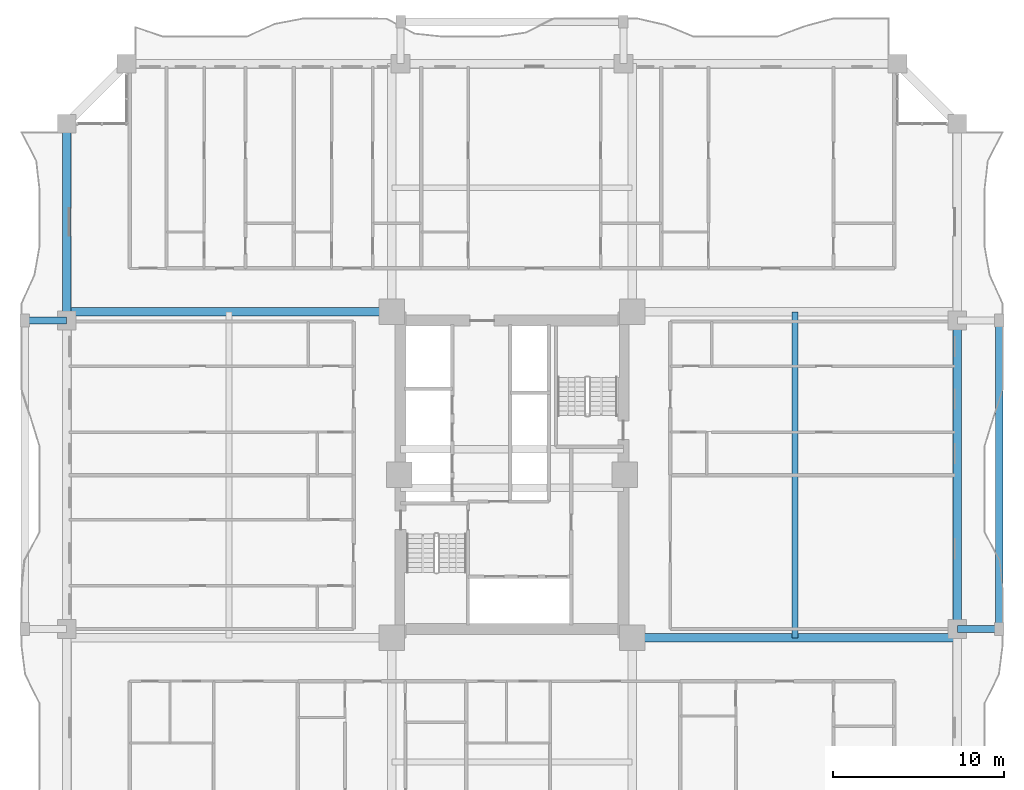
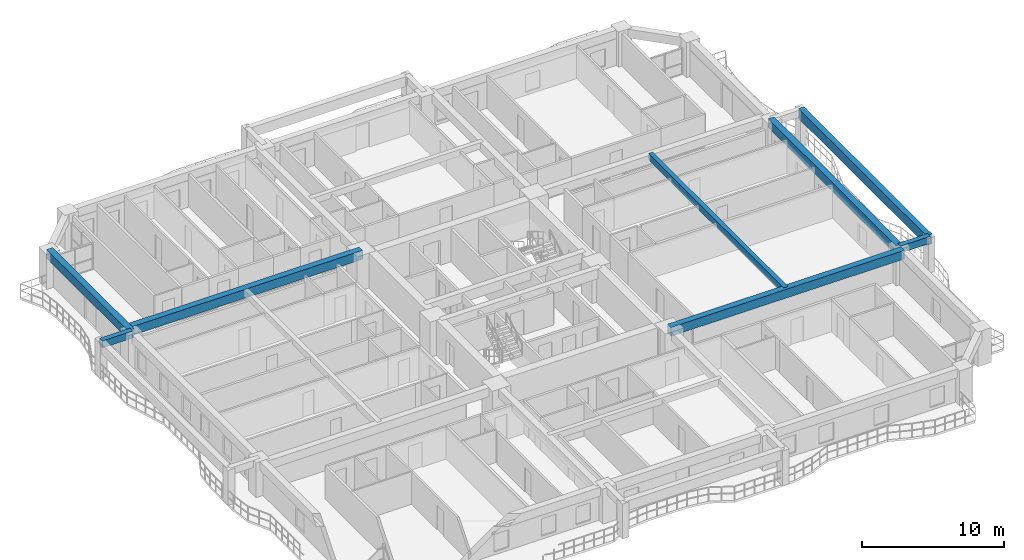
# One storey, part 5 of 27: 8 beams.
"""IFC4 building model written with IfcOpenShell, lengths in metres."""

import ifcopenshell
import ifcopenshell.guid

model = None  # the IFC model being written
_history = None  # IfcOwnerHistory: only IFC2X3 demands one
_inside = {}  # id of a spatial element -> (the spatial element, [elements in it])
_under = {}  # id of a project, library or spatial element -> (it, [spatial elements below it])
_declared = {}  # id of a project -> (the project, [libraries it declares])
_typed = {}  # id of a type object -> (the type object, [elements of that type])
_made_of = {}  # id of a material, layer set ... -> (it, [elements and type objects made of it])


def new_model(schema):
    """Start an empty IFC model of exactly this schema.

    Asked for "IFC4X3", IfcOpenShell would pick the latest addendum, in which some entities
    have other attributes; the version numbers below select the first issue.
    IFC2X3 requires an IfcOwnerHistory on every rooted entity: one is made here for all.
    """
    global model, _history
    if schema == "IFC4X3":
        model = ifcopenshell.file(schema_version=(4, 3, 0, 0))
    else:
        model = ifcopenshell.file(schema=schema)
    _inside.clear()
    _under.clear()
    _declared.clear()
    _typed.clear()
    _made_of.clear()
    _history = None
    if model.schema == "IFC2X3":
        org = make("IfcOrganization", Name="unknown")
        user = make(
            "IfcPersonAndOrganization",
            ThePerson=make("IfcPerson", FamilyName="unknown"),
            TheOrganization=org,
        )
        app = make(
            "IfcApplication",
            ApplicationDeveloper=org,
            Version="unknown",
            ApplicationFullName="unknown",
            ApplicationIdentifier="unknown",
        )
        _history = make(
            "IfcOwnerHistory",
            OwningUser=user,
            OwningApplication=app,
            ChangeAction="ADDED",
            CreationDate=0,
        )
    return model


def make(cls, **values):
    """One entity of the class cls with the attributes given. An attribute that is None is left unset."""
    return model.create_entity(
        cls, **{name: value for name, value in values.items() if value is not None}
    )


def rooted(cls, **values):
    """An entity with a GlobalId (a new one), such as an element, a storey or a relation."""
    return make(cls, GlobalId=ifcopenshell.guid.new(), OwnerHistory=_history, **values)


def si_unit(unit_type, name, prefix=None):
    """IfcSIUnit, for example si_unit("LENGTHUNIT", "METRE", prefix="MILLI")."""
    return make("IfcSIUnit", UnitType=unit_type, Prefix=prefix, Name=name)


def assignment(units):
    """IfcUnitAssignment: the units of a project."""
    return None if units is None else make("IfcUnitAssignment", Units=units)


def point(xyz):
    """IfcCartesianPoint."""
    return None if xyz is None else make("IfcCartesianPoint", Coordinates=xyz)


def direction(xyz):
    """IfcDirection."""
    return None if xyz is None else make("IfcDirection", DirectionRatios=xyz)


def frame(location, z_axis=None, x_axis=None):
    """IfcAxis2Placement3D, a coordinate frame: its origin and axes. An axis left out is left unset."""
    return make(
        "IfcAxis2Placement3D",
        Location=point(location),
        Axis=direction(z_axis),
        RefDirection=direction(x_axis),
    )


def frame_2d(location, x_axis=None):
    """IfcAxis2Placement2D, a coordinate frame in the plane: its origin and x axis."""
    return make(
        "IfcAxis2Placement2D", Location=point(location), RefDirection=direction(x_axis)
    )


def origin():
    """The frame at (0, 0, 0) with its axes left unset."""
    return frame((0.0, 0.0, 0.0))


def origin_2d():
    """The frame at (0, 0) in the plane with its x axis left unset."""
    return frame_2d((0.0, 0.0))


def place(relative_to, where):
    """IfcLocalPlacement: puts the frame where relative to a parent placement (None: the world)."""
    return make(
        "IfcLocalPlacement", PlacementRelTo=relative_to, RelativePlacement=where
    )


def context(
    kind, dimensions, precision=None, world=None, true_north=None, identifier=None
):
    """IfcGeometricRepresentationContext, for example the 3D "Model" context."""
    return make(
        "IfcGeometricRepresentationContext",
        ContextIdentifier=identifier,
        ContextType=kind,
        CoordinateSpaceDimension=dimensions,
        Precision=precision,
        WorldCoordinateSystem=world,
        TrueNorth=true_north,
    )


def subcontext(parent, identifier, kind, view, scale=None):
    """IfcGeometricRepresentationSubContext, for example "Body" below "Model"."""
    return make(
        "IfcGeometricRepresentationSubContext",
        ContextIdentifier=identifier,
        ContextType=kind,
        ParentContext=parent,
        TargetScale=scale,
        TargetView=view,
    )


def project(units=None, contexts=None):
    """IfcProject with its units and contexts."""
    return rooted(
        "IfcProject",
        Name="project",
        RepresentationContexts=contexts,
        UnitsInContext=assignment(units),
    )


def spatial(cls, under=None, at=None, **own):
    """A site, building, storey or space (cls), placed at a placement, below another one or the project."""
    s = rooted(cls, ObjectPlacement=at, **own)
    if under is not None:
        _under.setdefault(under.id(), (under, []))[1].append(s)
    return s


def profile(cls, at=None, kind="AREA", **sizes):
    """A parametric profile (cls). Its sizes go by their IFC names, for example OverallWidth=200.0."""
    return make(cls, ProfileType=kind, Position=at, **sizes)


def rectangle(**sizes):
    """IfcRectangleProfileDef."""
    return profile("IfcRectangleProfileDef", **sizes)


def extrude(swept, where, along, depth):
    """IfcExtrudedAreaSolid: the profile swept, set in the frame where, extruded along a direction by depth."""
    return make(
        "IfcExtrudedAreaSolid",
        SweptArea=swept,
        Position=where,
        ExtrudedDirection=direction(along),
        Depth=depth,
    )


def shape(context_of_items, identifier, shape_type, items):
    """IfcShapeRepresentation: the items that make up one representation, for example the "Body"."""
    return make(
        "IfcShapeRepresentation",
        ContextOfItems=context_of_items,
        RepresentationIdentifier=identifier,
        RepresentationType=shape_type,
        Items=items,
    )


def source(mapping_origin, context_of_items, identifier, shape_type, items):
    """IfcRepresentationMap: a shape defined once, which mapped items show again and again."""
    return make(
        "IfcRepresentationMap",
        MappingOrigin=mapping_origin,
        MappedRepresentation=shape(context_of_items, identifier, shape_type, items),
    )


def transform(
    local_origin,
    x_axis=None,
    y_axis=None,
    z_axis=None,
    scale=None,
    scale2=None,
    scale3=None,
    uniform=True,
):
    """IfcCartesianTransformationOperator3D, or its non-uniform kind. x_axis, y_axis, z_axis: its Axis1, 2, 3."""
    if uniform:
        return make(
            "IfcCartesianTransformationOperator3D",
            Axis1=direction(x_axis),
            Axis2=direction(y_axis),
            LocalOrigin=point(local_origin),
            Scale=scale,
            Axis3=direction(z_axis),
        )
    return make(
        "IfcCartesianTransformationOperator3DnonUniform",
        Axis1=direction(x_axis),
        Axis2=direction(y_axis),
        LocalOrigin=point(local_origin),
        Scale=scale,
        Axis3=direction(z_axis),
        Scale2=scale2,
        Scale3=scale3,
    )


def mapped(mapping_source, mapping_target):
    """IfcMappedItem: shows the shape of a source again, moved by a transform."""
    return make(
        "IfcMappedItem", MappingSource=mapping_source, MappingTarget=mapping_target
    )


def material(Name=None, Category=None):
    """IfcMaterial."""
    return make("IfcMaterial", Name=Name, Category=Category)


def material_profile(
    of_material, cross_section, Name=None, Category=None, Priority=None
):
    """IfcMaterialProfile: a cross section and its material."""
    return make(
        "IfcMaterialProfile",
        Name=Name,
        Material=of_material,
        Profile=cross_section,
        Priority=Priority,
        Category=Category,
    )


def profile_set(profiles, Name=None, composite=None):
    """IfcMaterialProfileSet."""
    return make(
        "IfcMaterialProfileSet",
        Name=Name,
        MaterialProfiles=profiles,
        CompositeProfile=composite,
    )


def made_of(thing, what):
    """Note that an element or type object is made of a material, layer set ...; save() writes the relation."""
    if what is not None:
        _made_of.setdefault(what.id(), (what, []))[1].append(thing)
    return thing


def type_object(cls, material=None, **own):
    """A type object (cls), such as IfcWallType, which elements share."""
    return made_of(rooted(cls, **own), material)


def element(
    cls,
    number,
    at=None,
    inside=None,
    cuts=None,
    type_object=None,
    material=None,
    context=None,
    identifier="Body",
    shape_type=None,
    held_by="IfcProductDefinitionShape",
    body=None,
    shapes=None,
    **own,
):
    """One element of the class cls, such as IfcWall. Its Tag is "e" and its number.

    at: its placement. inside: the storey or other place that contains it. cuts: it is an
    opening in that element (IfcRelVoidsElement). A single representation is given by context,
    identifier, shape_type and body (its items); several are given by shapes. held_by: the class
    of the entity that holds the representations. save() writes the other relations.
    """
    e = rooted(cls, Tag="e%d" % number, ObjectPlacement=at, **own)
    if body is not None:
        shapes = [shape(context, identifier, shape_type, body)]
    if shapes is not None:
        e.Representation = make(held_by, Representations=shapes)
    if inside is not None:
        _inside.setdefault(inside.id(), (inside, []))[1].append(e)
    if cuts is not None:
        rooted(
            "IfcRelVoidsElement", RelatingBuildingElement=cuts, RelatedOpeningElement=e
        )
    if type_object is not None:
        _typed.setdefault(type_object.id(), (type_object, []))[1].append(e)
    return made_of(e, material)


def aggregate(whole, parts):
    """IfcRelAggregates: a whole, such as a stair, and the parts it consists of."""
    return rooted("IfcRelAggregates", RelatingObject=whole, RelatedObjects=parts)


def save(model, path):
    """Write the relations noted so far, then the file.

    IfcRelAggregates (storeys below a building ...), IfcRelContainedInSpatialStructure (elements
    in a storey), IfcRelDefinesByType, IfcRelAssociatesMaterial and IfcRelDeclares: one each for
    every whole, place, type object, material and project.
    """
    for whole, parts in _under.values():
        aggregate(whole, parts)
    for where, things in _inside.values():
        rooted(
            "IfcRelContainedInSpatialStructure",
            RelatedElements=things,
            RelatingStructure=where,
        )
    for kind, things in _typed.values():
        rooted("IfcRelDefinesByType", RelatedObjects=things, RelatingType=kind)
    for what, things in _made_of.values():
        rooted("IfcRelAssociatesMaterial", RelatedObjects=things, RelatingMaterial=what)
    for by, libraries in _declared.values():
        rooted("IfcRelDeclares", RelatingContext=by, RelatedDefinitions=libraries)
    model.write(path)


model = new_model("IFC4")

# Units and contexts
model_context = context("Model", 3, precision=1e-05, world=origin(), true_north=direction((0.0, 1.0)))
body_context = subcontext(model_context, "Body", "Model", "MODEL_VIEW")
ifc_project = project(units=[si_unit("LENGTHUNIT", "METRE"), si_unit("AREAUNIT", "SQUARE_METRE"), si_unit("VOLUMEUNIT", "CUBIC_METRE"), si_unit("PLANEANGLEUNIT", "RADIAN"), si_unit("MASSUNIT", "GRAM", prefix="KILO")], contexts=[model_context])

# Site, building, storey
site_placement = place(None, origin())
site = spatial("IfcSite", under=ifc_project, at=site_placement, CompositionType="ELEMENT")
building_placement = place(site_placement, origin())
building = spatial("IfcBuilding", under=site, at=building_placement, Name="Saelheon Loggia Tower", CompositionType="ELEMENT")
storey_placement = place(building_placement, frame((0.0, 0.0, 52.39990234375)))
storey = spatial("IfcBuildingStorey", under=building, at=storey_placement, Name="L16", CompositionType="ELEMENT", Elevation=52.39990234375)

# Beams
ifc_material_1 = material(Name="Concrete C45/55", Category="concrete")
ifc_material_profile_1 = material_profile(ifc_material_1, rectangle(XDim=0.5, YDim=0.75, at=origin_2d()), Name="RC-500x750")
ifc_profile_set_1 = profile_set([ifc_material_profile_1], Name="Concrete C45/55")
beam_type_1 = type_object("IfcBeamType", Name="Beam_PerimGirder_RC500x750", PredefinedType="BEAM", material=ifc_profile_set_1)
shared_shape_1 = source(origin(), body_context, "Body", "SweptSolid", [
    extrude(rectangle(XDim=0.5, YDim=0.75, at=origin_2d()), origin(), (0.0, 0.0, 1.0), 11.5),
])
beam_1_placement = place(storey_placement, frame((12.0, 47.5, 2.625), z_axis=(0.0, -1.0, 0.0), x_axis=(1.0, 0.0, 0.0)))
element("IfcBeam", 1, at=beam_1_placement, inside=storey, type_object=beam_type_1, Name="L16 Perimeter Frame Girder 13", PredefinedType="BEAM", context=body_context, shape_type="MappedRepresentation", body=[
    mapped(shared_shape_1, transform((0.0, 0.0, 0.0), scale=1.0)),
])
shared_shape_2 = source(origin(), body_context, "Body", "SweptSolid", [
    extrude(rectangle(XDim=0.5, YDim=0.75, at=origin_2d()), origin(), (0.0, 0.0, 1.0), 18.0),
])
beam_2_placement = place(storey_placement, frame((64.0, 18.0, 2.625), z_axis=(0.0, 1.0, 0.0), x_axis=(-1.0, 0.0, 0.0)))
element("IfcBeam", 2, at=beam_2_placement, inside=storey, type_object=beam_type_1, Name="L16 Perimeter Frame Girder 06", PredefinedType="BEAM", context=body_context, shape_type="MappedRepresentation", body=[
    mapped(shared_shape_2, transform((0.0, 0.0, 0.0), scale=1.0)),
])
ifc_material_profile_2 = material_profile(ifc_material_1, rectangle(XDim=0.5, YDim=0.75, at=origin_2d()), Name="RC-500x750")
ifc_profile_set_2 = profile_set([ifc_material_profile_2], Name="Concrete C45/55")
beam_type_2 = type_object("IfcBeamType", Name="Beam_FloorGirder_RC500x750", PredefinedType="BEAM", material=ifc_profile_set_2)
shared_shape_3 = source(origin(), body_context, "Body", "SweptSolid", [
    extrude(rectangle(XDim=0.5, YDim=0.75, at=origin_2d()), origin(), (0.0, 0.0, 1.0), 18.97998046875),
])
for number, where, z_axis, x_axis, name in (
    (3, (30.97998046875, 36.52001953125, 2.625), (-1.0, 0.0, 0.0), (0.0, -1.0, 0.0), "L16 Radial Floor Girder RAD-NW-W"),
    (4, (45.02001953125, 17.47998046875, 2.625), (1.0, 0.0, 0.0), (0.0, 1.0, 0.0), "L16 Radial Floor Girder RAD-SE-E"),
):
    element("IfcBeam", number, at=place(storey_placement, frame(where, z_axis=z_axis, x_axis=x_axis)), inside=storey, type_object=beam_type_2, Name=name, PredefinedType="BEAM", context=body_context, shape_type="MappedRepresentation", body=[
        mapped(shared_shape_3, transform((0.0, 0.0, 0.0), scale=1.0)),
    ])
ifc_material_2 = material(Name="Concrete C40/50", Category="concrete")
ifc_material_profile_3 = material_profile(ifc_material_2, rectangle(XDim=0.35009765625, YDim=0.550048828125, at=origin_2d()), Name="RC-350x550")
ifc_profile_set_3 = profile_set([ifc_material_profile_3], Name="Concrete C40/50")
beam_type_3 = type_object("IfcBeamType", Name="Beam_Joist_RC350x550", PredefinedType="JOIST", material=ifc_profile_set_3)
shared_shape_4 = source(origin(), body_context, "Body", "SweptSolid", [
    extrude(rectangle(XDim=0.35009765625, YDim=0.550048828125, at=origin_2d()), origin(), (0.0, 0.0, 1.0), 19.0400390625),
])
beam_3_placement = place(storey_placement, frame((54.510009765625, 17.47998046875, 2.72509765625), z_axis=(0.0, 1.0, 0.0), x_axis=(-1.0, 0.0, 0.0)))
element("IfcBeam", 5, at=beam_3_placement, inside=storey, type_object=beam_type_3, Name="L16 East Floor Joist", PredefinedType="JOIST", context=body_context, shape_type="MappedRepresentation", body=[
    mapped(shared_shape_4, transform((0.0, 0.0, 0.0), scale=1.0)),
])
ifc_material_3 = material(Name="Precast Concrete C45/55", Category="concrete")
ifc_material_profile_4 = material_profile(ifc_material_3, rectangle(XDim=0.39990234375, YDim=0.60009765625, at=origin_2d()), Name="RC-400x600")
ifc_profile_set_4 = profile_set([ifc_material_profile_4], Name="Precast Concrete C45/55")
beam_type_4 = type_object("IfcBeamType", Name="Beam_LoggiaTie_RC400x600", PredefinedType="BEAM", material=ifc_profile_set_4)
shared_shape_5 = source(origin(), body_context, "Body", "SweptSolid", [
    extrude(rectangle(XDim=0.39990234375, YDim=0.60009765625, at=origin_2d()), origin(), (0.0, 0.0, 1.0), 2.449951171875),
])
for number, where, z_axis, x_axis, name in (
    (6, (64.0, 18.0, 2.7001953125), (1.0, 0.0, 0.0), (0.0, 1.0, 0.0), "L16 Loggia Frame Tie Beam LP-E1"),
    (7, (12.0, 36.0, 2.7001953125), (-1.0, 0.0, 0.0), (0.0, -1.0, 0.0), "L16 Loggia Frame Tie Beam LP-W2"),
):
    element("IfcBeam", number, at=place(storey_placement, frame(where, z_axis=z_axis, x_axis=x_axis)), inside=storey, type_object=beam_type_4, Name=name, PredefinedType="BEAM", context=body_context, shape_type="MappedRepresentation", body=[
        mapped(shared_shape_5, transform((0.0, 0.0, 0.0), scale=1.0)),
    ])
ifc_material_profile_5 = material_profile(ifc_material_3, rectangle(XDim=0.449951171875, YDim=0.85009765625, at=origin_2d()), Name="RC-450x850")
ifc_profile_set_5 = profile_set([ifc_material_profile_5], Name="Precast Concrete C45/55")
beam_type_5 = type_object("IfcBeamType", Name="Beam_LoggiaSpandrel_RC450x850", PredefinedType="SPANDREL", material=ifc_profile_set_5)
shared_shape_6 = source(origin(), body_context, "Body", "SweptSolid", [
    extrude(rectangle(XDim=0.449951171875, YDim=0.85009765625, at=origin_2d()), origin(), (0.0, 0.0, 1.0), 18.0),
])
beam_4_placement = place(storey_placement, frame((66.449951171875, 18.0, 2.5751953125), z_axis=(0.0, 1.0, 0.0), x_axis=(-1.0, 0.0, 0.0)))
element("IfcBeam", 8, at=beam_4_placement, inside=storey, type_object=beam_type_5, Name="L16 Loggia Spandrel Beam E", PredefinedType="SPANDREL", context=body_context, shape_type="MappedRepresentation", body=[
    mapped(shared_shape_6, transform((0.0, 0.0, 0.0), scale=1.0)),
])

save(model, "model.ifc")
